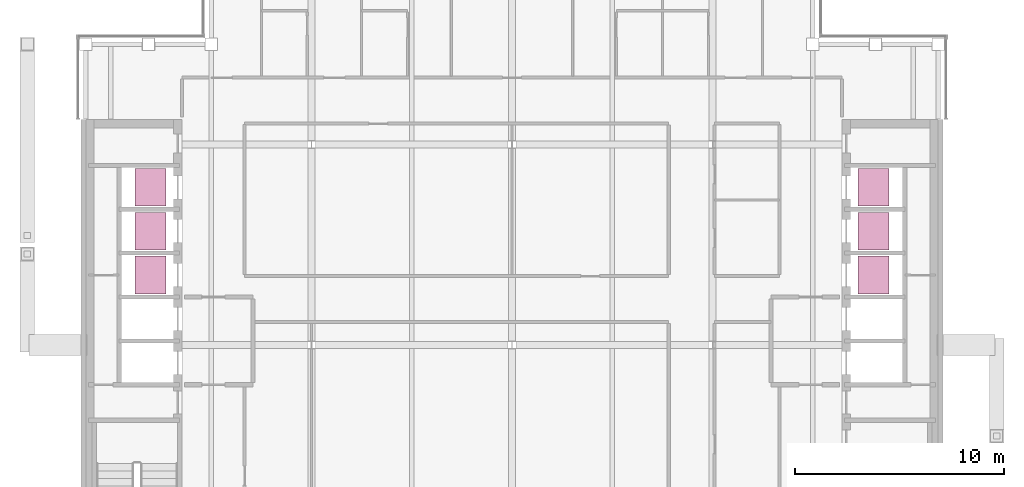
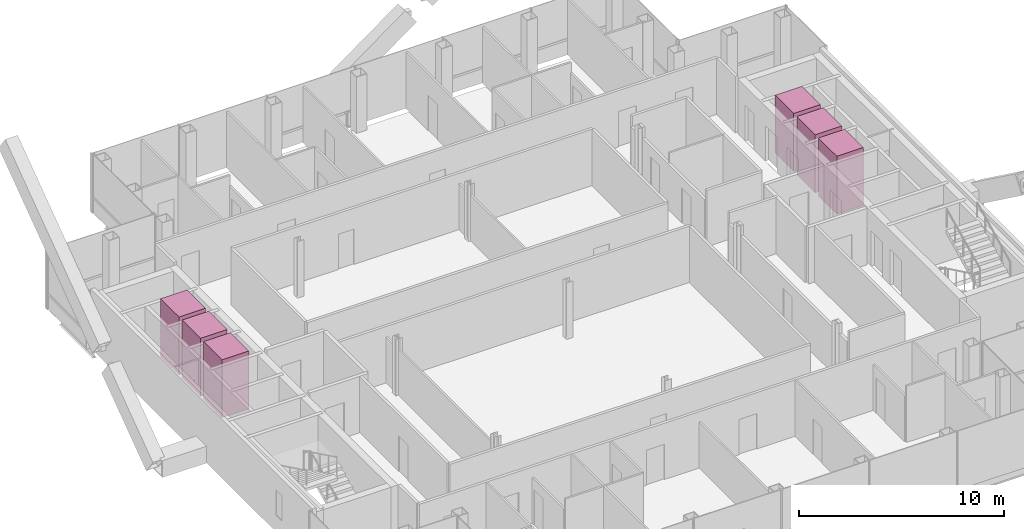
# One storey, part 15 of 15: 6 transport elements.
"""IFC4 building model written with IfcOpenShell, lengths in metres."""

from ifc_helpers import new_model, si_unit, direction, frame, origin, origin_2d, place, context, subcontext, project, spatial, rectangle, extrude, material, type_object, element, save


model = new_model("IFC4")

# Units and contexts
model_context = context("Model", 3, precision=1e-05, world=origin(), true_north=direction((0.0, 1.0)))
body_context = subcontext(model_context, "Body", "Model", "MODEL_VIEW")
ifc_project = project(units=[si_unit("LENGTHUNIT", "METRE"), si_unit("AREAUNIT", "SQUARE_METRE"), si_unit("VOLUMEUNIT", "CUBIC_METRE"), si_unit("PLANEANGLEUNIT", "RADIAN"), si_unit("MASSUNIT", "GRAM", prefix="KILO")], contexts=[model_context])

# Site, building, storey
site_placement = place(None, origin())
site = spatial("IfcSite", under=ifc_project, at=site_placement, CompositionType="ELEMENT")
building_placement = place(site_placement, origin())
building = spatial("IfcBuilding", under=site, at=building_placement, Name="Cobrizo Arcos Hotel Tower", CompositionType="ELEMENT")
storey_placement = place(building_placement, frame((0.0, 0.0, 244.5)))
storey = spatial("IfcBuildingStorey", under=building, at=storey_placement, Name="L64", CompositionType="ELEMENT", Elevation=244.5)

# Transport elements
ifc_material = material(Name="Stainless steel car", Category="steel")
transport_element_type = type_object("IfcTransportElementType", Name="Lift car High 1.8x1.5", PredefinedType="ELEVATOR", material=ifc_material)
for number, where, z_axis, x_axis, name in (
    (1, (-17.300048828125, 3.35009765625, 0.0), (0.0, 0.0, 1.0), (1.0, 0.0, 0.0), "High-rise passenger lift W1"),
    (2, (-17.300048828125, 5.449951171875, 0.0), (0.0, 0.0, 1.0), (1.0, 0.0, 0.0), "High-rise passenger lift W2"),
    (3, (-17.300048828125, 7.550048828125, 0.0), (0.0, 0.0, 1.0), (1.0, 0.0, 0.0), "High-rise passenger lift W3"),
    (4, (17.300048828125, 3.35009765625, 0.0), (0.0, 0.0, 1.0), (1.0, 0.0, 0.0), "High-rise passenger lift E1"),
    (5, (17.300048828125, 5.449951171875, 0.0), (0.0, 0.0, 1.0), (1.0, 0.0, 0.0), "High-rise passenger lift E2"),
    (6, (17.300048828125, 7.550048828125, 0.0), (0.0, 0.0, 1.0), (1.0, 0.0, 0.0), "High-rise passenger lift E3"),
):
    element("IfcTransportElement", number, at=place(storey_placement, frame(where, z_axis=z_axis, x_axis=x_axis)), inside=storey, type_object=transport_element_type, Name=name, PredefinedType="ELEVATOR", context=body_context, shape_type="SweptSolid", body=[
        extrude(rectangle(XDim=1.5, YDim=1.800048828125, at=origin_2d()), origin(), (0.0, 0.0, 1.0), 3.449951171875),
    ])

save(model, "model.ifc")
